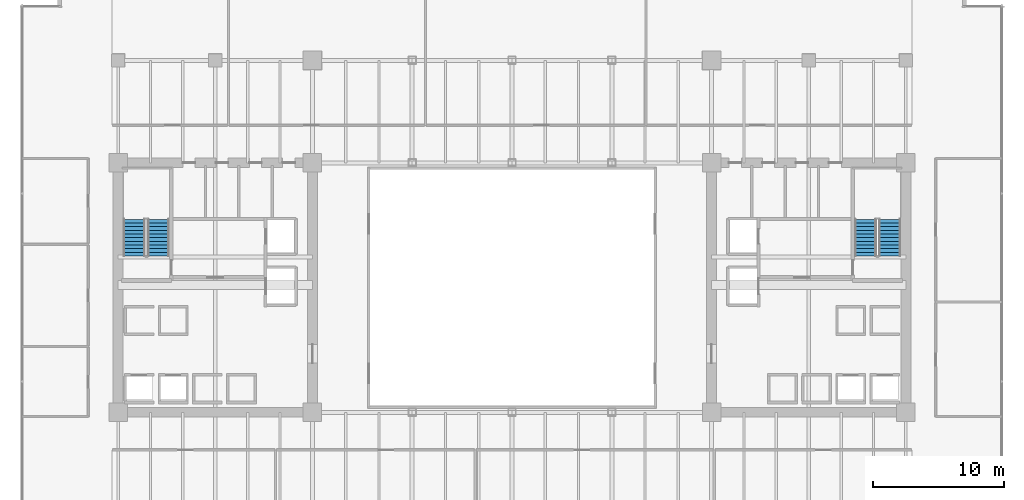
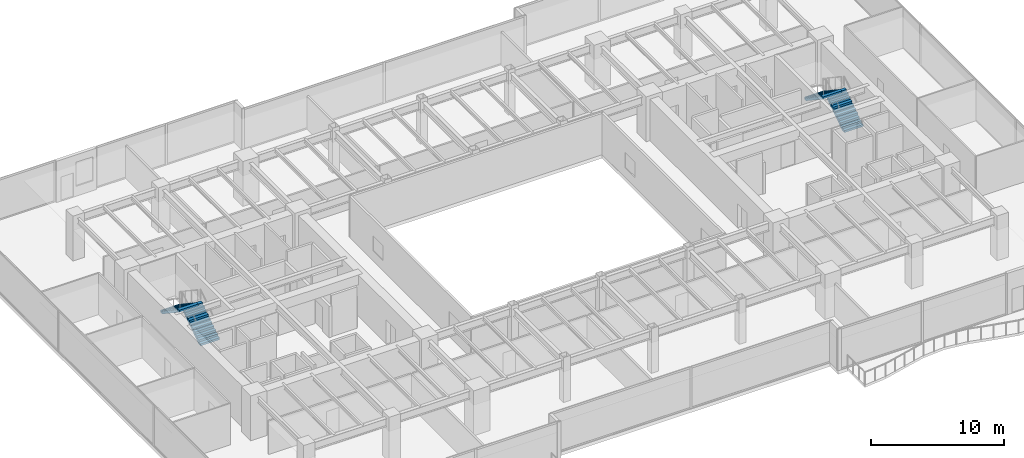
# One storey, part 28 of 32: 4 stair flights, 2 elements without a shape of their own.
"""IFC4 building model written with IfcOpenShell, lengths in metres."""

import ifcopenshell
import ifcopenshell.guid

model = None  # the IFC model being written
_history = None  # IfcOwnerHistory: only IFC2X3 demands one
_inside = {}  # id of a spatial element -> (the spatial element, [elements in it])
_under = {}  # id of a project, library or spatial element -> (it, [spatial elements below it])
_declared = {}  # id of a project -> (the project, [libraries it declares])
_typed = {}  # id of a type object -> (the type object, [elements of that type])
_made_of = {}  # id of a material, layer set ... -> (it, [elements and type objects made of it])


def new_model(schema):
    """Start an empty IFC model of exactly this schema.

    Asked for "IFC4X3", IfcOpenShell would pick the latest addendum, in which some entities
    have other attributes; the version numbers below select the first issue.
    IFC2X3 requires an IfcOwnerHistory on every rooted entity: one is made here for all.
    """
    global model, _history
    if schema == "IFC4X3":
        model = ifcopenshell.file(schema_version=(4, 3, 0, 0))
    else:
        model = ifcopenshell.file(schema=schema)
    _inside.clear()
    _under.clear()
    _declared.clear()
    _typed.clear()
    _made_of.clear()
    _history = None
    if model.schema == "IFC2X3":
        org = make("IfcOrganization", Name="unknown")
        user = make(
            "IfcPersonAndOrganization",
            ThePerson=make("IfcPerson", FamilyName="unknown"),
            TheOrganization=org,
        )
        app = make(
            "IfcApplication",
            ApplicationDeveloper=org,
            Version="unknown",
            ApplicationFullName="unknown",
            ApplicationIdentifier="unknown",
        )
        _history = make(
            "IfcOwnerHistory",
            OwningUser=user,
            OwningApplication=app,
            ChangeAction="ADDED",
            CreationDate=0,
        )
    return model


def make(cls, **values):
    """One entity of the class cls with the attributes given. An attribute that is None is left unset."""
    return model.create_entity(
        cls, **{name: value for name, value in values.items() if value is not None}
    )


def rooted(cls, **values):
    """An entity with a GlobalId (a new one), such as an element, a storey or a relation."""
    return make(cls, GlobalId=ifcopenshell.guid.new(), OwnerHistory=_history, **values)


def si_unit(unit_type, name, prefix=None):
    """IfcSIUnit, for example si_unit("LENGTHUNIT", "METRE", prefix="MILLI")."""
    return make("IfcSIUnit", UnitType=unit_type, Prefix=prefix, Name=name)


def assignment(units):
    """IfcUnitAssignment: the units of a project."""
    return None if units is None else make("IfcUnitAssignment", Units=units)


def point(xyz):
    """IfcCartesianPoint."""
    return None if xyz is None else make("IfcCartesianPoint", Coordinates=xyz)


def direction(xyz):
    """IfcDirection."""
    return None if xyz is None else make("IfcDirection", DirectionRatios=xyz)


def frame(location, z_axis=None, x_axis=None):
    """IfcAxis2Placement3D, a coordinate frame: its origin and axes. An axis left out is left unset."""
    return make(
        "IfcAxis2Placement3D",
        Location=point(location),
        Axis=direction(z_axis),
        RefDirection=direction(x_axis),
    )


def origin():
    """The frame at (0, 0, 0) with its axes left unset."""
    return frame((0.0, 0.0, 0.0))


def place(relative_to, where):
    """IfcLocalPlacement: puts the frame where relative to a parent placement (None: the world)."""
    return make(
        "IfcLocalPlacement", PlacementRelTo=relative_to, RelativePlacement=where
    )


def context(
    kind, dimensions, precision=None, world=None, true_north=None, identifier=None
):
    """IfcGeometricRepresentationContext, for example the 3D "Model" context."""
    return make(
        "IfcGeometricRepresentationContext",
        ContextIdentifier=identifier,
        ContextType=kind,
        CoordinateSpaceDimension=dimensions,
        Precision=precision,
        WorldCoordinateSystem=world,
        TrueNorth=true_north,
    )


def subcontext(parent, identifier, kind, view, scale=None):
    """IfcGeometricRepresentationSubContext, for example "Body" below "Model"."""
    return make(
        "IfcGeometricRepresentationSubContext",
        ContextIdentifier=identifier,
        ContextType=kind,
        ParentContext=parent,
        TargetScale=scale,
        TargetView=view,
    )


def project(units=None, contexts=None):
    """IfcProject with its units and contexts."""
    return rooted(
        "IfcProject",
        Name="project",
        RepresentationContexts=contexts,
        UnitsInContext=assignment(units),
    )


def spatial(cls, under=None, at=None, **own):
    """A site, building, storey or space (cls), placed at a placement, below another one or the project."""
    s = rooted(cls, ObjectPlacement=at, **own)
    if under is not None:
        _under.setdefault(under.id(), (under, []))[1].append(s)
    return s


def polyline(points):
    """IfcPolyline through the points."""
    return make("IfcPolyline", Points=[point(p) for p in points])


def outline(outer, holes=None, kind="AREA"):
    """IfcArbitraryClosedProfileDef: a profile drawn as a closed curve; with holes, ...WithVoids."""
    if holes is None:
        return make("IfcArbitraryClosedProfileDef", ProfileType=kind, OuterCurve=outer)
    return make(
        "IfcArbitraryProfileDefWithVoids",
        ProfileType=kind,
        OuterCurve=outer,
        InnerCurves=holes,
    )


def extrude(swept, where, along, depth):
    """IfcExtrudedAreaSolid: the profile swept, set in the frame where, extruded along a direction by depth."""
    return make(
        "IfcExtrudedAreaSolid",
        SweptArea=swept,
        Position=where,
        ExtrudedDirection=direction(along),
        Depth=depth,
    )


def shape(context_of_items, identifier, shape_type, items):
    """IfcShapeRepresentation: the items that make up one representation, for example the "Body"."""
    return make(
        "IfcShapeRepresentation",
        ContextOfItems=context_of_items,
        RepresentationIdentifier=identifier,
        RepresentationType=shape_type,
        Items=items,
    )


def source(mapping_origin, context_of_items, identifier, shape_type, items):
    """IfcRepresentationMap: a shape defined once, which mapped items show again and again."""
    return make(
        "IfcRepresentationMap",
        MappingOrigin=mapping_origin,
        MappedRepresentation=shape(context_of_items, identifier, shape_type, items),
    )


def transform(
    local_origin,
    x_axis=None,
    y_axis=None,
    z_axis=None,
    scale=None,
    scale2=None,
    scale3=None,
    uniform=True,
):
    """IfcCartesianTransformationOperator3D, or its non-uniform kind. x_axis, y_axis, z_axis: its Axis1, 2, 3."""
    if uniform:
        return make(
            "IfcCartesianTransformationOperator3D",
            Axis1=direction(x_axis),
            Axis2=direction(y_axis),
            LocalOrigin=point(local_origin),
            Scale=scale,
            Axis3=direction(z_axis),
        )
    return make(
        "IfcCartesianTransformationOperator3DnonUniform",
        Axis1=direction(x_axis),
        Axis2=direction(y_axis),
        LocalOrigin=point(local_origin),
        Scale=scale,
        Axis3=direction(z_axis),
        Scale2=scale2,
        Scale3=scale3,
    )


def mapped(mapping_source, mapping_target):
    """IfcMappedItem: shows the shape of a source again, moved by a transform."""
    return make(
        "IfcMappedItem", MappingSource=mapping_source, MappingTarget=mapping_target
    )


def material(Name=None, Category=None):
    """IfcMaterial."""
    return make("IfcMaterial", Name=Name, Category=Category)


def made_of(thing, what):
    """Note that an element or type object is made of a material, layer set ...; save() writes the relation."""
    if what is not None:
        _made_of.setdefault(what.id(), (what, []))[1].append(thing)
    return thing


def type_object(cls, material=None, **own):
    """A type object (cls), such as IfcWallType, which elements share."""
    return made_of(rooted(cls, **own), material)


def type_shapes(of_type, sources):
    """Give a type object the sources (RepresentationMaps) that its elements show as mapped items."""
    of_type.RepresentationMaps = sources


def element(
    cls,
    number,
    at=None,
    inside=None,
    cuts=None,
    type_object=None,
    material=None,
    context=None,
    identifier="Body",
    shape_type=None,
    held_by="IfcProductDefinitionShape",
    body=None,
    shapes=None,
    **own,
):
    """One element of the class cls, such as IfcWall. Its Tag is "e" and its number.

    at: its placement. inside: the storey or other place that contains it. cuts: it is an
    opening in that element (IfcRelVoidsElement). A single representation is given by context,
    identifier, shape_type and body (its items); several are given by shapes. held_by: the class
    of the entity that holds the representations. save() writes the other relations.
    """
    e = rooted(cls, Tag="e%d" % number, ObjectPlacement=at, **own)
    if body is not None:
        shapes = [shape(context, identifier, shape_type, body)]
    if shapes is not None:
        e.Representation = make(held_by, Representations=shapes)
    if inside is not None:
        _inside.setdefault(inside.id(), (inside, []))[1].append(e)
    if cuts is not None:
        rooted(
            "IfcRelVoidsElement", RelatingBuildingElement=cuts, RelatedOpeningElement=e
        )
    if type_object is not None:
        _typed.setdefault(type_object.id(), (type_object, []))[1].append(e)
    return made_of(e, material)


def aggregate(whole, parts):
    """IfcRelAggregates: a whole, such as a stair, and the parts it consists of."""
    return rooted("IfcRelAggregates", RelatingObject=whole, RelatedObjects=parts)


def save(model, path):
    """Write the relations noted so far, then the file.

    IfcRelAggregates (storeys below a building ...), IfcRelContainedInSpatialStructure (elements
    in a storey), IfcRelDefinesByType, IfcRelAssociatesMaterial and IfcRelDeclares: one each for
    every whole, place, type object, material and project.
    """
    for whole, parts in _under.values():
        aggregate(whole, parts)
    for where, things in _inside.values():
        rooted(
            "IfcRelContainedInSpatialStructure",
            RelatedElements=things,
            RelatingStructure=where,
        )
    for kind, things in _typed.values():
        rooted("IfcRelDefinesByType", RelatedObjects=things, RelatingType=kind)
    for what, things in _made_of.values():
        rooted("IfcRelAssociatesMaterial", RelatedObjects=things, RelatingMaterial=what)
    for by, libraries in _declared.values():
        rooted("IfcRelDeclares", RelatingContext=by, RelatedDefinitions=libraries)
    model.write(path)


model = new_model("IFC4")

# Units and contexts
model_context = context("Model", 3, precision=1e-05, world=origin(), true_north=direction((0.0, 1.0)))
body_context = subcontext(model_context, "Body", "Model", "MODEL_VIEW")
ifc_project = project(units=[si_unit("LENGTHUNIT", "METRE"), si_unit("AREAUNIT", "SQUARE_METRE"), si_unit("VOLUMEUNIT", "CUBIC_METRE"), si_unit("PLANEANGLEUNIT", "RADIAN"), si_unit("MASSUNIT", "GRAM", prefix="KILO")], contexts=[model_context])

# Site, building, storey
site_placement = place(None, origin())
site = spatial("IfcSite", under=ifc_project, at=site_placement, CompositionType="ELEMENT")
building_placement = place(site_placement, origin())
building = spatial("IfcBuilding", under=site, at=building_placement, Name="Haelvirn Gate Laboratories", CompositionType="ELEMENT")
storey_placement = place(building_placement, frame((0.0, 0.0, 33.39990234375)))
storey = spatial("IfcBuildingStorey", under=building, at=storey_placement, Name="L08", CompositionType="ELEMENT", Elevation=33.39990234375)

# Stair, stair flights
ifc_material = material(Name="Concrete C40/50", Category="concrete")
stair_type = type_object("IfcStairType", Name="ST-DOG-1650-R22", PredefinedType="HALF_TURN_STAIR", material=ifc_material)
stair_1_placement = place(storey_placement, origin())
stair_1 = element("IfcStair", 1, at=stair_1_placement, inside=storey, type_object=stair_type, Name="L08 Escape Stair ST1", PredefinedType="HALF_TURN_STAIR")
stair_flight_type = type_object("IfcStairFlightType", Name="STF-1650-R11", PredefinedType="STRAIGHT", material=ifc_material)
shared_shape = source(origin(), body_context, "Body", "SweptSolid", [
    extrude(outline(polyline([(0.0, 0.0), (0.0, 0.186279296875), (0.280029296875, 0.186279296875), (0.280029296875, 0.372802734375), (0.56005859375, 0.372802734375), (0.56005859375, 0.55908203125), (0.840087890625, 0.55908203125), (0.840087890625, 0.745361328125), (1.1201171875, 0.745361328125), (1.1201171875, 0.931884765625), (1.39990234375, 0.931884765625), (1.39990234375, 1.1181640625), (1.679931640625, 1.1181640625), (1.679931640625, 1.304443359375), (1.9599609375, 1.304443359375), (1.9599609375, 1.490966796875), (2.239990234375, 1.490966796875), (2.239990234375, 1.67724609375), (2.52001953125, 1.67724609375), (2.52001953125, 1.863525390625), (2.800048828125, 1.863525390625), (2.800048828125, 2.050048828125), (2.800048828125, 1.671630859375), (0.28857421875, 0.0), (0.0, 0.0)])), frame((0.0, 0.824951171875, 0.0), z_axis=(0.0, -1.0, 0.0), x_axis=(1.0, 0.0, 0.0)), (0.0, 0.0, 1.0), 1.64990234375),
])
type_shapes(stair_flight_type, [shared_shape])
stair_flight_1_placement = place(storey_placement, frame((10.47509765625, 26.699951171875, 0.0), z_axis=(0.0, 0.0, 1.0), x_axis=(0.0, 1.0, 0.0)))
stair_flight_1 = element("IfcStairFlight", 2, at=stair_flight_1_placement, type_object=stair_flight_type, Name="ST1 flight 1", NumberOfRisers=11, NumberOfTreads=10, PredefinedType="STRAIGHT", RiserHeight=0.186363636, TreadLength=0.28, context=body_context, shape_type="MappedRepresentation", body=[
    mapped(shared_shape, transform((0.0, 0.0, 0.0), scale=1.0)),
])
stair_flight_2_placement = place(storey_placement, frame((8.625, 29.5, 2.050048828125), z_axis=(0.0, 0.0, 1.0), x_axis=(0.0, -1.0, 0.0)))
stair_flight_2 = element("IfcStairFlight", 3, at=stair_flight_2_placement, type_object=stair_flight_type, Name="ST1 flight 2", NumberOfRisers=11, NumberOfTreads=10, PredefinedType="STRAIGHT", RiserHeight=0.186363636, TreadLength=0.28, context=body_context, shape_type="MappedRepresentation", body=[
    mapped(shared_shape, transform((0.0, 0.0, 0.0), scale=1.0)),
])
aggregate(stair_1, [stair_flight_1, stair_flight_2])

stair_2_placement = place(storey_placement, origin())
stair_2 = element("IfcStair", 4, at=stair_2_placement, inside=storey, type_object=stair_type, Name="L08 Escape Stair ST2", PredefinedType="HALF_TURN_STAIR")
stair_flight_3_placement = place(storey_placement, frame((66.175048828125, 26.699951171875, 0.0), z_axis=(0.0, 0.0, 1.0), x_axis=(0.0, 1.0, 0.0)))
stair_flight_3 = element("IfcStairFlight", 5, at=stair_flight_3_placement, type_object=stair_flight_type, Name="ST2 flight 1", NumberOfRisers=11, NumberOfTreads=10, PredefinedType="STRAIGHT", RiserHeight=0.186363636, TreadLength=0.28, context=body_context, shape_type="MappedRepresentation", body=[
    mapped(shared_shape, transform((0.0, 0.0, 0.0), scale=1.0)),
])
stair_flight_4_placement = place(storey_placement, frame((64.324951171875, 29.5, 2.050048828125), z_axis=(0.0, 0.0, 1.0), x_axis=(0.0, -1.0, 0.0)))
stair_flight_4 = element("IfcStairFlight", 6, at=stair_flight_4_placement, type_object=stair_flight_type, Name="ST2 flight 2", NumberOfRisers=11, NumberOfTreads=10, PredefinedType="STRAIGHT", RiserHeight=0.186363636, TreadLength=0.28, context=body_context, shape_type="MappedRepresentation", body=[
    mapped(shared_shape, transform((0.0, 0.0, 0.0), scale=1.0)),
])
aggregate(stair_2, [stair_flight_3, stair_flight_4])

save(model, "model.ifc")
